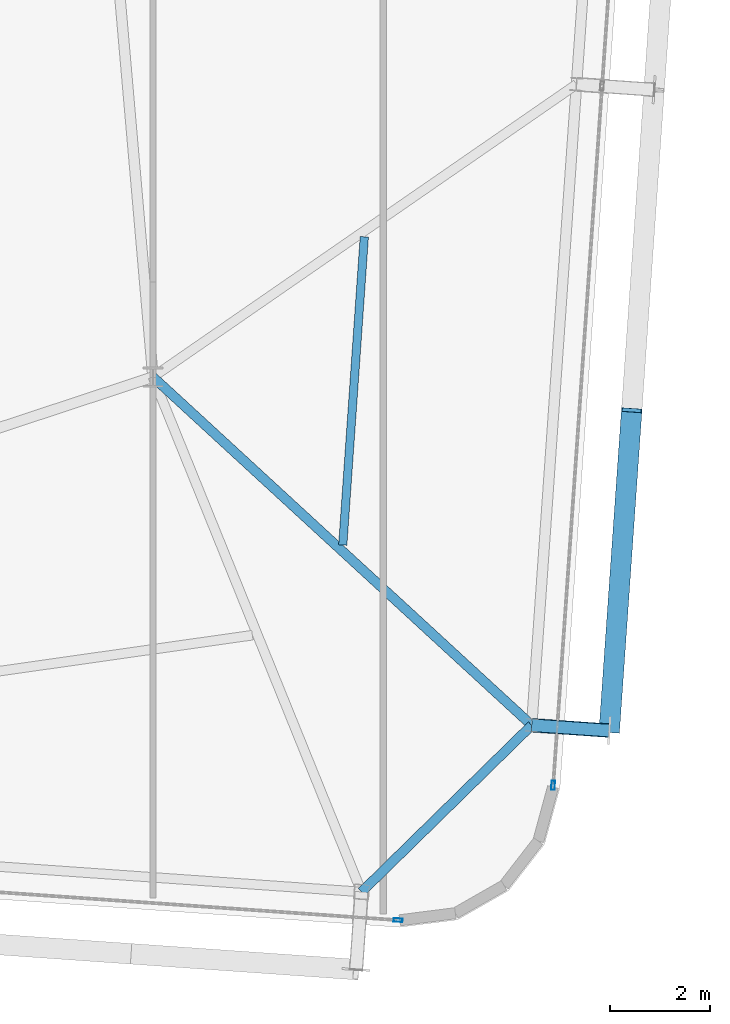
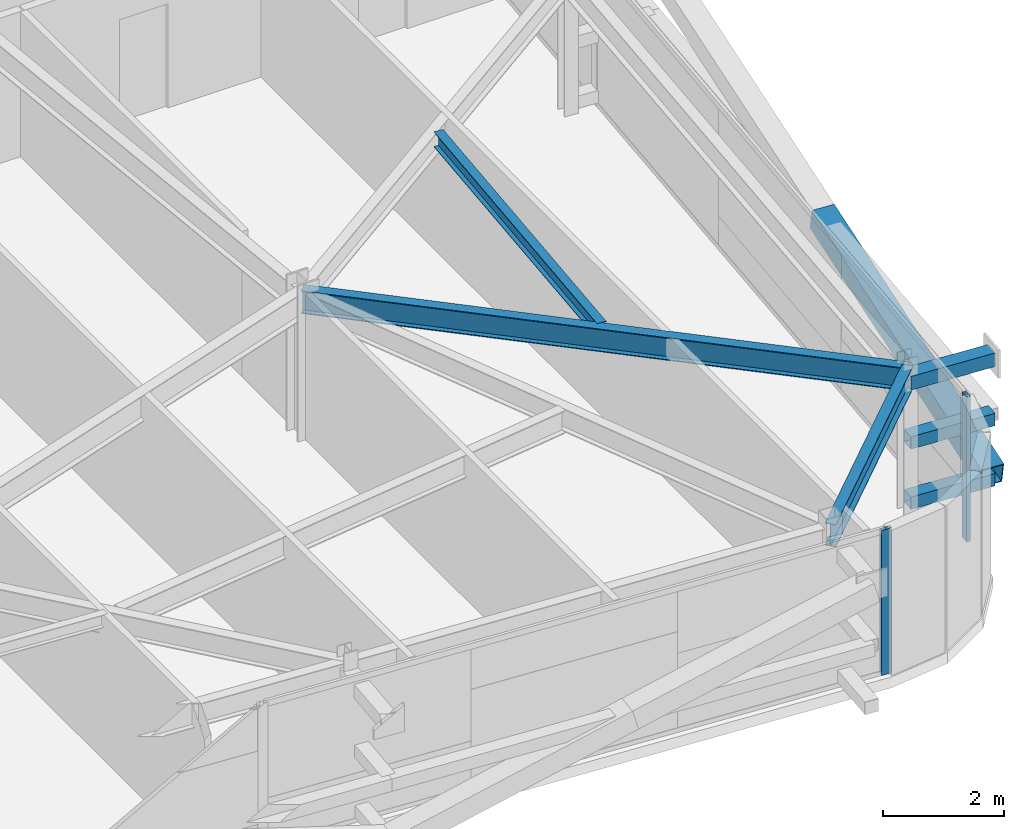
# One storey, part 15 of 39: 6 members, 3 beams, 2 elements without a shape of their own.
"""IFC4 building model written with IfcOpenShell, lengths in metres."""

from ifc_helpers import new_model, si_unit, direction, frame, origin, origin_2d, place, context, subcontext, project, spatial, hollow_rectangle, i_section, extrude, source, transform, mapped, material, layer, layer_set, material_profile, profile_set, type_object, element, aggregate, save


model = new_model("IFC4")

# Units and contexts
model_context = context("Model", 3, precision=1e-05, world=origin(), true_north=direction((0.0, 1.0)))
body_context = subcontext(model_context, "Body", "Model", "MODEL_VIEW")
ifc_project = project(units=[si_unit("LENGTHUNIT", "METRE"), si_unit("AREAUNIT", "SQUARE_METRE"), si_unit("VOLUMEUNIT", "CUBIC_METRE"), si_unit("PLANEANGLEUNIT", "RADIAN"), si_unit("MASSUNIT", "GRAM", prefix="KILO")], contexts=[model_context])

# Site, building, storey
site_placement = place(None, origin())
site = spatial("IfcSite", under=ifc_project, at=site_placement, CompositionType="ELEMENT")
building_placement = place(site_placement, origin())
building = spatial("IfcBuilding", under=site, at=building_placement, Name="Taldren Reach Tower", CompositionType="ELEMENT")
storey_placement = place(building_placement, frame((0.0, 0.0, 133.0)))
storey = spatial("IfcBuildingStorey", under=building, at=storey_placement, Name="L40", CompositionType="ELEMENT", Elevation=133.0)

# Members
ifc_material_1 = material(Name="Steel Gr 450 (C450L0)", Category="steel")
ifc_material_profile_1 = material_profile(ifc_material_1, hollow_rectangle(XDim=0.27490234375, YDim=0.27490234375, WallThickness=0.00927734375, at=origin_2d()), Name="275x275x9.3SHS")
ifc_profile_set_1 = profile_set([ifc_material_profile_1], Name="Steel Gr 450 (C450L0)")
member_type_1 = type_object("IfcMemberType", Name="MB-TIE273", PredefinedType="STRUT", material=ifc_profile_set_1)
shared_shape_1 = source(origin(), body_context, "Body", "SweptSolid", [
    extrude(hollow_rectangle(XDim=0.27490234375, YDim=0.27490234375, WallThickness=0.00927734375, at=origin_2d()), origin(), (0.0, 0.0, 1.0), 1.5498046875),
])
member_1_placement = place(storey_placement, frame((59.54541015625, 5.562744140625, 2.64990234375), z_axis=(0.997573320145, -0.069623781384, 0.0), x_axis=(0.069623781384, 0.997573320145, 0.0)))
element("IfcMember", 1, at=member_1_placement, inside=storey, type_object=member_type_1, Name="Exoskeleton diaphragm tie strut B3-E1 L40", PredefinedType="STRUT", context=body_context, shape_type="MappedRepresentation", body=[
    mapped(shared_shape_1, transform((0.0, 0.0, 0.0), scale=1.0)),
])
ifc_material_2 = material(Name="Steel Gr 350 (C350L0)", Category="steel")
ifc_material_profile_2 = material_profile(ifc_material_2, hollow_rectangle(XDim=0.25, YDim=0.25, WallThickness=0.010009765625, at=origin_2d()), Name="250x250x10.0SHS")
ifc_profile_set_2 = profile_set([ifc_material_profile_2], Name="Steel Gr 350 (C350L0)")
member_type_2 = type_object("IfcMemberType", Name="MB-POST250", PredefinedType="POST", material=ifc_profile_set_2)
shared_shape_2 = source(origin(), body_context, "Body", "SweptSolid", [
    extrude(hollow_rectangle(XDim=0.25, YDim=0.25, WallThickness=0.010009765625, at=origin_2d()), origin(), (0.0, 0.0, 1.0), 1.5498046875),
])
for number, where, z_axis, x_axis, name in (
    (2, (59.54541015625, 5.562744140625, 0.219970703125), (0.997573320145, -0.069623781384, 0.0), (0.069623781384, 0.997573320145, 0.0), "Exoskeleton base diaphragm tie strut B3-E1 L40"),
    (3, (59.54541015625, 5.562744140625, 1.43505859375), (0.997573320145, -0.069623781384, 0.0), (0.069623781384, 0.997573320145, 0.0), "Exoskeleton mid-tier diaphragm tie B3-E1 L40"),
):
    element("IfcMember", number, at=place(storey_placement, frame(where, z_axis=z_axis, x_axis=x_axis)), inside=storey, type_object=member_type_2, Name=name, PredefinedType="POST", context=body_context, shape_type="MappedRepresentation", body=[
        mapped(shared_shape_2, transform((0.0, 0.0, 0.0), scale=1.0)),
    ])

# Beams
ifc_material_3 = material(Name="Steel Gr 350 (350PLUS)", Category="steel")
ifc_material_profile_3 = material_profile(ifc_material_3, i_section(OverallWidth=0.18994140625, OverallDepth=0.4541015625, WebThickness=0.008544921875, FlangeThickness=0.0126953125, at=origin_2d()), Name="460UB67.1")
ifc_profile_set_3 = profile_set([ifc_material_profile_3], Name="Steel Gr 350 (350PLUS)")
beam_type_1 = type_object("IfcBeamType", Name="SP-UB460B", PredefinedType="SPANDREL", material=ifc_profile_set_3)
shared_shape_3 = source(origin(), body_context, "Body", "SweptSolid", [
    extrude(i_section(OverallWidth=0.18994140625, OverallDepth=0.4541015625, WebThickness=0.008544921875, FlangeThickness=0.0126953125, at=origin_2d()), origin(), (0.0, 0.0, 1.0), 4.745849609375),
])
beam_1_placement = place(storey_placement, frame((56.155517578125, 2.2412109375, 2.702880859375), z_axis=(0.714271982806, 0.699868226581, 0.0), x_axis=(-0.699868226581, 0.714271982806, 0.0)))
element("IfcBeam", 4, at=beam_1_placement, inside=storey, type_object=beam_type_1, Name="Perimeter spandrel B3 S6-E1 L40", PredefinedType="SPANDREL", context=body_context, shape_type="MappedRepresentation", body=[
    mapped(shared_shape_3, transform((0.0, 0.0, 0.0), scale=1.0)),
])
ifc_material_profile_4 = material_profile(ifc_material_3, i_section(OverallWidth=0.19091796875, OverallDepth=0.4599609375, WebThickness=0.010009765625, FlangeThickness=0.01611328125, at=origin_2d()), Name="460UB82.1")
ifc_profile_set_4 = profile_set([ifc_material_profile_4], Name="Steel Gr 350 (350PLUS)")
beam_type_2 = type_object("IfcBeamType", Name="BM-UB460A", PredefinedType="BEAM", material=ifc_profile_set_4)
shared_shape_4 = source(origin(), body_context, "Body", "SweptSolid", [
    extrude(i_section(OverallWidth=0.19091796875, OverallDepth=0.4599609375, WebThickness=0.010009765625, FlangeThickness=0.01611328125, at=origin_2d()), origin(), (0.0, 0.0, 1.0), 10.249755859375),
])
beam_2_placement = place(storey_placement, frame((52.0, 12.5, 2.699951171875), z_axis=(0.736150772628, -0.676817582483, 0.0), x_axis=(0.676817582483, 0.736150772628, 0.0)))
element("IfcBeam", 5, at=beam_2_placement, inside=storey, type_object=beam_type_2, Name="Primary floor girder B3-E1 L40", PredefinedType="BEAM", context=body_context, shape_type="MappedRepresentation", body=[
    mapped(shared_shape_4, transform((0.0, 0.0, 0.0), scale=1.0)),
])
ifc_material_4 = material(Name="Steel Gr 300 (300PLUS, 300 MPa)", Category="steel")
ifc_material_profile_5 = material_profile(ifc_material_4, i_section(OverallWidth=0.166015625, OverallDepth=0.306884765625, WebThickness=0.006591796875, FlangeThickness=0.01171875, at=origin_2d()), Name="310UB46.2")
ifc_profile_set_5 = profile_set([ifc_material_profile_5], Name="Steel Gr 300 (300PLUS, 300 MPa)")
beam_type_3 = type_object("IfcBeamType", Name="JS-UB310", PredefinedType="JOIST", material=ifc_profile_set_5)
shared_shape_5 = source(origin(), body_context, "Body", "SweptSolid", [
    extrude(i_section(OverallWidth=0.166015625, OverallDepth=0.306884765625, WebThickness=0.006591796875, FlangeThickness=0.01171875, at=origin_2d()), origin(), (0.0, 0.0, 1.0), 6.155517578125),
])
beam_3_placement = place(storey_placement, frame((55.78125, 9.1533203125, 2.776611328125), z_axis=(0.069764400024, 0.997563495969, 0.0), x_axis=(-0.997563495969, 0.069764400024, 0.0)))
element("IfcBeam", 6, at=beam_3_placement, inside=storey, type_object=beam_type_3, Name="Secondary floor joist B3 J7 L40", PredefinedType="JOIST", context=body_context, shape_type="MappedRepresentation", body=[
    mapped(shared_shape_5, transform((0.0, 0.0, 0.0), scale=1.0)),
])

# Member
ifc_material_profile_6 = material_profile(ifc_material_1, hollow_rectangle(XDim=0.409912109375, YDim=0.409912109375, WallThickness=0.01611328125, at=origin_2d()), Name="410x410x16.0SHS")
ifc_profile_set_6 = profile_set([ifc_material_profile_6], Name="Steel Gr 450 (C450L0)")
member_type_3 = type_object("IfcMemberType", Name="MB-EXO406", PredefinedType="BRACE", material=ifc_profile_set_6)
shared_shape_6 = source(origin(), body_context, "Body", "SweptSolid", [
    extrude(hollow_rectangle(XDim=0.409912109375, YDim=0.409912109375, WallThickness=0.01611328125, at=origin_2d()), origin(), (0.0, 0.0, 1.0), 6.51416015625),
])
member_2_placement = place(storey_placement, frame((61.091552734375, 5.454833984375, 0.219970703125), z_axis=(0.068547644544, 0.980055169399, 0.186529046964), x_axis=(-0.997562951496, 0.069772185021, 0.0)))
element("IfcMember", 7, at=member_2_placement, inside=storey, type_object=member_type_3, Name="Exoskeleton Diagrid Brace B3-E1 L40", PredefinedType="BRACE", context=body_context, shape_type="MappedRepresentation", body=[
    mapped(shared_shape_6, transform((0.0, 0.0, 0.0), scale=1.0)),
])

# Curtain wall, member
ifc_material_5 = material(Name="Aluminium and Low-E Glass Unitised System", Category="aluminium")
ifc_layer = layer(ifc_material_5, 0.159912109375)
ifc_layer_set = layer_set([ifc_layer], Name="Aluminium and Low-E Glass Unitised System")
curtain_wall_type = type_object("IfcCurtainWallType", Name="CW-SYS-4", PredefinedType="NOTDEFINED", material=ifc_layer_set)
curtain_wall_1_placement = place(storey_placement, origin())
curtain_wall_1 = element("IfcCurtainWall", 8, at=curtain_wall_1_placement, inside=storey, type_object=curtain_wall_type, Name="Unitised curtain wall CW-L40-S", PredefinedType="NOTDEFINED")
ifc_material_6 = material(Name="Anodised Aluminium 6063-T6", Category="aluminium")
ifc_material_profile_7 = material_profile(ifc_material_6, hollow_rectangle(XDim=0.070068359375, YDim=0.179931640625, WallThickness=0.00390625, at=origin_2d()), Name="ALU-180x70x4RHS")
ifc_profile_set_7 = profile_set([ifc_material_profile_7], Name="Anodised Aluminium 6063-T6")
member_type_4 = type_object("IfcMemberType", Name="CW-MUL-180", PredefinedType="MULLION", material=ifc_profile_set_7)
shared_shape_7 = source(origin(), body_context, "Body", "SweptSolid", [
    extrude(hollow_rectangle(XDim=0.070068359375, YDim=0.179931640625, WallThickness=0.00390625, at=origin_2d()), origin(), (0.0, 0.0, 1.0), 2.929931640625),
])
member_3_placement = place(storey_placement, frame((56.883056640625, 1.67919921875, 0.0), z_axis=(0.0, 0.0, 1.0), x_axis=(0.06975651593, 0.99756404731, 0.0)))
member_3 = element("IfcMember", 9, at=member_3_placement, type_object=member_type_4, Name="CW-4 mullion 5", PredefinedType="MULLION", context=body_context, shape_type="MappedRepresentation", body=[
    mapped(shared_shape_7, transform((0.0, 0.0, 0.0), scale=1.0)),
])
aggregate(curtain_wall_1, [member_3])

curtain_wall_2_placement = place(storey_placement, origin())
curtain_wall_2 = element("IfcCurtainWall", 10, at=curtain_wall_2_placement, inside=storey, type_object=curtain_wall_type, Name="Unitised curtain wall CW-L40-E", PredefinedType="NOTDEFINED")
member_4_placement = place(storey_placement, frame((59.972900390625, 4.365234375, 0.0), z_axis=(0.0, 0.0, 1.0), x_axis=(-0.997564052812, 0.069756437251, 0.0)))
member_4 = element("IfcMember", 11, at=member_4_placement, type_object=member_type_4, Name="CW-4 mullion 1", PredefinedType="MULLION", context=body_context, shape_type="MappedRepresentation", body=[
    mapped(shared_shape_7, transform((0.0, 0.0, 0.0), scale=1.0)),
])
aggregate(curtain_wall_2, [member_4])

save(model, "model.ifc")
